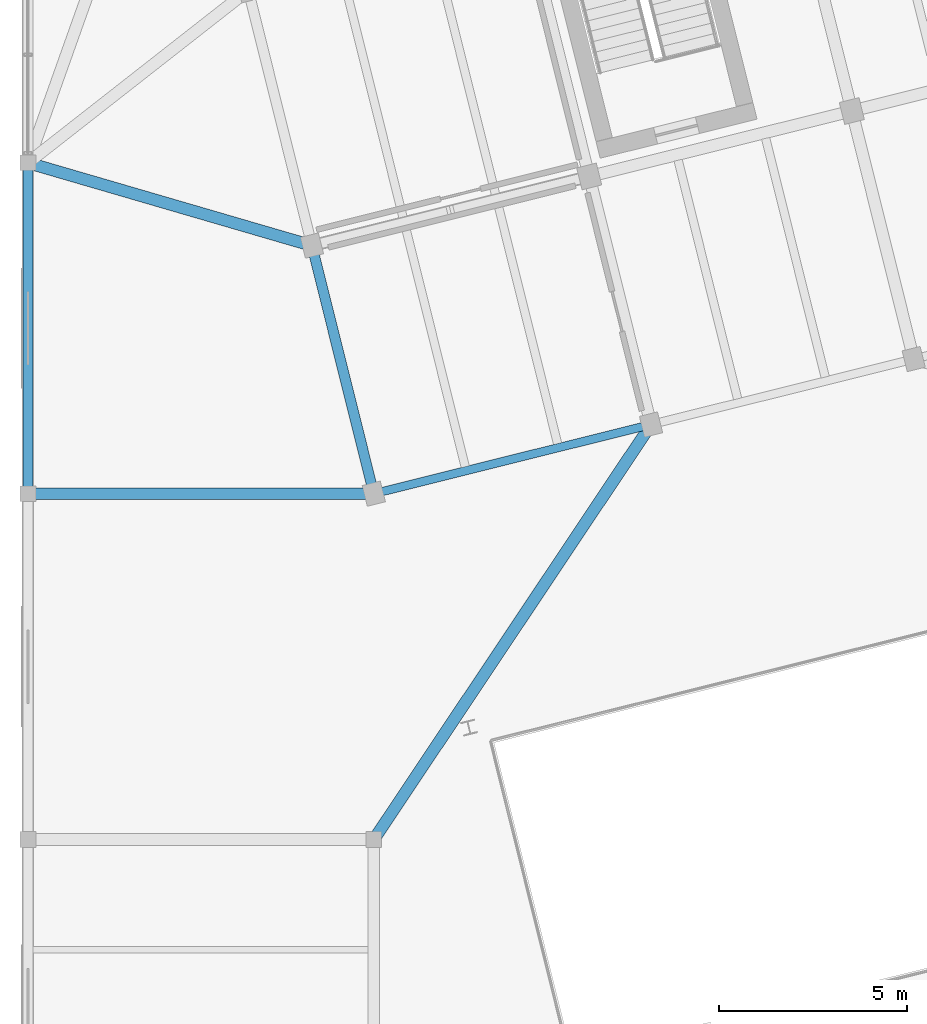
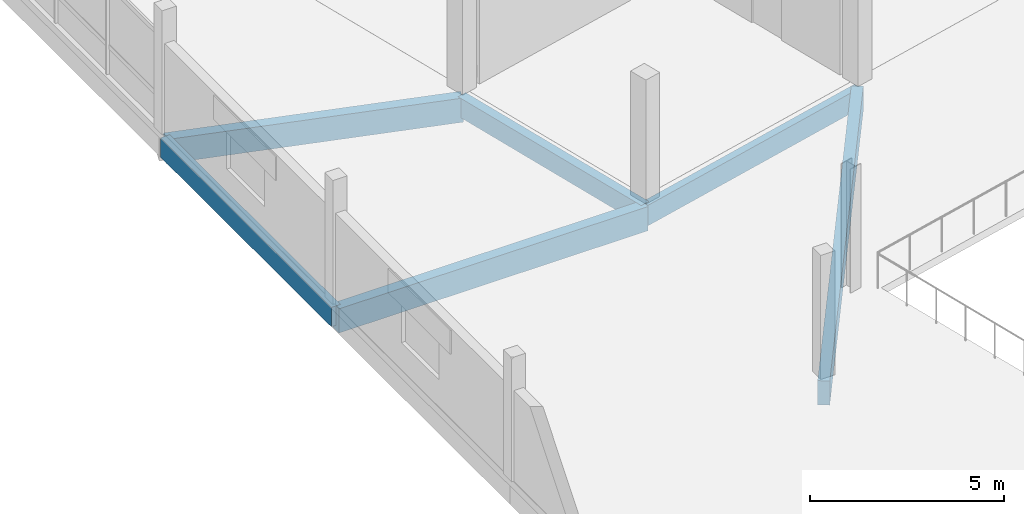
# One storey, part 16 of 47: 6 beams.
"""IFC4 building model written with IfcOpenShell, lengths in metres."""

from ifc_helpers import new_model, si_unit, direction, frame, origin, origin_2d, place, context, subcontext, project, spatial, rectangle, extrude, material, material_profile, profile_set, type_object, element, save


model = new_model("IFC4")

# Units and contexts
model_context = context("Model", 3, precision=1e-05, world=origin(), true_north=direction((0.0, 1.0)))
body_context = subcontext(model_context, "Body", "Model", "MODEL_VIEW")
ifc_project = project(units=[si_unit("LENGTHUNIT", "METRE"), si_unit("AREAUNIT", "SQUARE_METRE"), si_unit("VOLUMEUNIT", "CUBIC_METRE"), si_unit("PLANEANGLEUNIT", "RADIAN"), si_unit("MASSUNIT", "GRAM", prefix="KILO")], contexts=[model_context])

# Site, building, storey
site_placement = place(None, origin())
site = spatial("IfcSite", under=ifc_project, at=site_placement, CompositionType="ELEMENT")
building_placement = place(site_placement, origin())
building = spatial("IfcBuilding", under=site, at=building_placement, Name="Meriwether Solvik Hall", CompositionType="ELEMENT")
storey_placement = place(building_placement, frame((0.0, 0.0, 18.300048828125)))
storey = spatial("IfcBuildingStorey", under=building, at=storey_placement, Name="L04", CompositionType="ELEMENT", Elevation=18.300048828125)

# Beams
ifc_material_1 = material(Name="Glulam Douglas-Fir 24F-V8 GL28h", Category="wood")
ifc_material_profile_1 = material_profile(ifc_material_1, rectangle(XDim=0.221923828125, YDim=0.64501953125, at=origin_2d()), Name="GLB-222X645")
ifc_profile_set_1 = profile_set([ifc_material_profile_1], Name="Glulam Douglas-Fir 24F-V8 GL28h")
beam_type_1 = type_object("IfcBeamType", Name="BM-GL-222X645", PredefinedType="SPANDREL", material=ifc_profile_set_1)
beam_1_placement = place(storey_placement, frame((68.60009765625, 41.199951171875, -0.567626953125), z_axis=(0.970295366785, 0.241923337436, 0.0), x_axis=(-0.241923337436, 0.970295366785, 0.0)))
element("IfcBeam", 1, at=beam_1_placement, inside=storey, type_object=beam_type_1, Name="Tower Girder TA:T1-T2 (L04)", PredefinedType="SPANDREL", context=body_context, shape_type="SweptSolid", body=[
    extrude(rectangle(XDim=0.221923828125, YDim=0.64501953125, at=origin_2d()), origin(), (0.0, 0.0, 1.0), 7.60009765625),
])
ifc_material_2 = material(Name="Glulam Douglas-Fir 24F-V8 GL28h", Category="wood")
ifc_material_profile_2 = material_profile(ifc_material_2, rectangle(XDim=0.27294921875, YDim=0.610107421875, at=origin_2d()), Name="GLB-273X610")
ifc_profile_set_2 = profile_set([ifc_material_profile_2], Name="Glulam Douglas-Fir 24F-V8 GL28h")
beam_type_2 = type_object("IfcBeamType", Name="BM-GL-273X610", PredefinedType="SPANDREL", material=ifc_profile_set_2)
beam_2_placement = place(storey_placement, frame((59.39990234375, 41.199951171875, -0.550048828125), z_axis=(0.0, 1.0, 0.0), x_axis=(-1.0, 0.0, 0.0)))
element("IfcBeam", 2, at=beam_2_placement, inside=storey, type_object=beam_type_2, Name="Podium Girder 7:E-F (L04)", PredefinedType="SPANDREL", context=body_context, shape_type="SweptSolid", body=[
    extrude(rectangle(XDim=0.27294921875, YDim=0.610107421875, at=origin_2d()), origin(), (0.0, 0.0, 1.0), 8.800048828125),
])
beam_3_placement = place(storey_placement, frame((68.60009765625, 41.199951171875, -0.550048828125), z_axis=(-0.241944251278, 0.970290152106, 0.0), x_axis=(-0.970290152106, -0.241944251278, 0.0)))
element("IfcBeam", 3, at=beam_3_placement, inside=storey, type_object=beam_type_2, Name="Tower Girder T1:TA-TB (L04)", PredefinedType="SPANDREL", context=body_context, shape_type="SweptSolid", body=[
    extrude(rectangle(XDim=0.27294921875, YDim=0.610107421875, at=origin_2d()), origin(), (0.0, 0.0, 1.0), 6.80029296875),
])
ifc_material_3 = material(Name="Glulam Douglas-Fir 24F-V8 GL28h", Category="wood")
ifc_material_profile_3 = material_profile(ifc_material_3, rectangle(XDim=0.31494140625, YDim=0.760009765625, at=origin_2d()), Name="GLB-315X760")
ifc_profile_set_3 = profile_set([ifc_material_profile_3], Name="Glulam Douglas-Fir 24F-V8 GL28h")
beam_type_3 = type_object("IfcBeamType", Name="BM-GL-315X760", PredefinedType="BEAM", material=ifc_profile_set_3)
beam_4_placement = place(storey_placement, frame((68.60009765625, 41.199951171875, -0.625), z_axis=(-1.0, 0.0, 0.0), x_axis=(0.0, -1.0, 0.0)))
element("IfcBeam", 4, at=beam_4_placement, inside=storey, type_object=beam_type_3, Name="Diaphragm Collector Girder T1/TA-7/E (L04)", PredefinedType="BEAM", context=body_context, shape_type="SweptSolid", body=[
    extrude(rectangle(XDim=0.31494140625, YDim=0.760009765625, at=origin_2d()), origin(), (0.0, 0.0, 1.0), 9.2001953125),
])
beam_5_placement = place(storey_placement, frame((66.954833984375, 47.798095703125, -0.625), z_axis=(-0.960055229861, 0.279810570952, 0.0), x_axis=(-0.279810570952, -0.960055229861, 0.0)))
element("IfcBeam", 5, at=beam_5_placement, inside=storey, type_object=beam_type_3, Name="Diaphragm Collector Girder T1/TB-7/F (L04)", PredefinedType="BEAM", context=body_context, shape_type="SweptSolid", body=[
    extrude(rectangle(XDim=0.31494140625, YDim=0.760009765625, at=origin_2d()), origin(), (0.0, 0.0, 1.0), 7.869384765625),
])
beam_6_placement = place(storey_placement, frame((75.974365234375, 43.03857421875, -0.625), z_axis=(-0.555493576882, -0.831520827185, 0.0), x_axis=(0.831520827185, -0.555493576882, 0.0)))
element("IfcBeam", 6, at=beam_6_placement, inside=storey, type_object=beam_type_3, Name="Diaphragm Collector Girder T2/TA-8/D (L04)", PredefinedType="BEAM", context=body_context, shape_type="SweptSolid", body=[
    extrude(rectangle(XDim=0.31494140625, YDim=0.760009765625, at=origin_2d()), origin(), (0.0, 0.0, 1.0), 13.275146484375),
])

save(model, "model.ifc")
